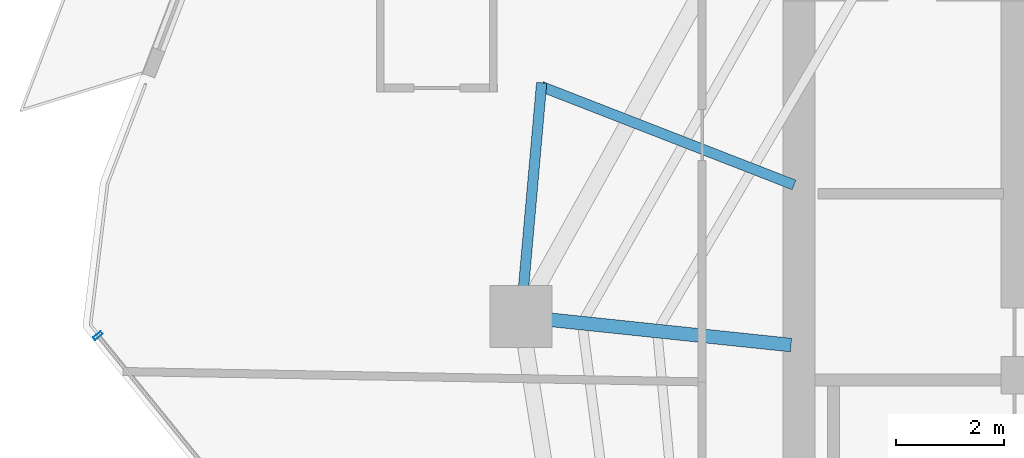
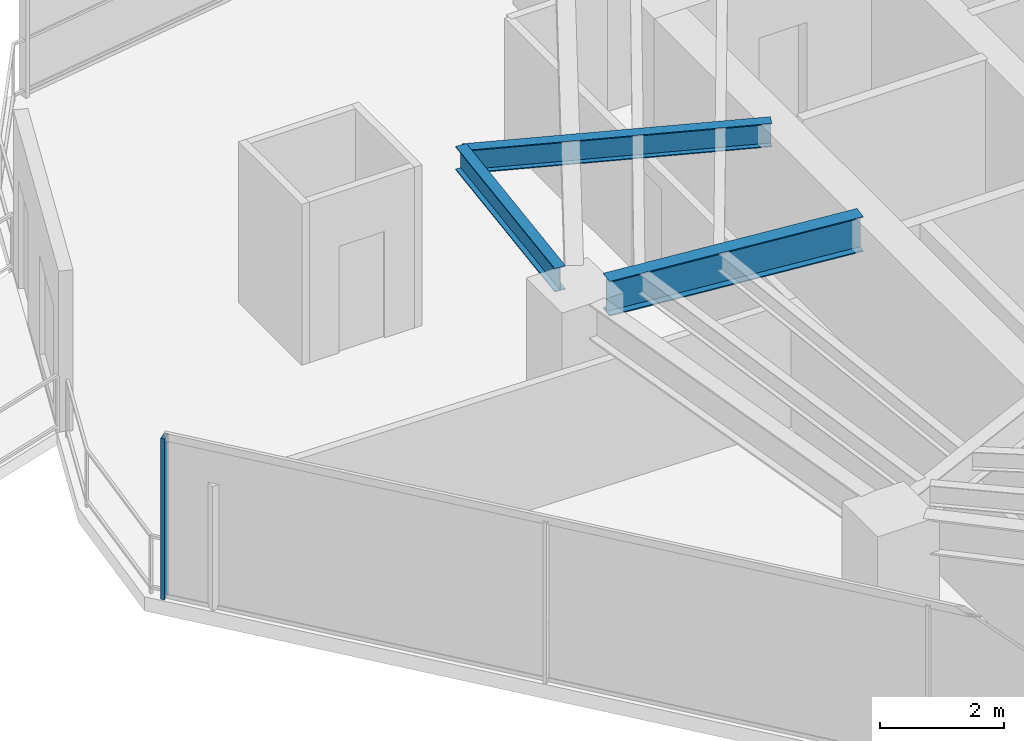
# One storey, part 9 of 27: 3 beams, 1 member, 1 element without a shape of its own.
"""IFC4 building model written with IfcOpenShell, lengths in metres."""

from ifc_helpers import new_model, si_unit, direction, frame, origin, origin_2d, place, context, subcontext, project, spatial, hollow_rectangle, i_section, extrude, material, layer, layer_set, material_profile, profile_set, type_object, element, aggregate, save


model = new_model("IFC4")

# Units and contexts
model_context = context("Model", 3, precision=1e-05, world=origin(), true_north=direction((0.0, 1.0)))
body_context = subcontext(model_context, "Body", "Model", "MODEL_VIEW")
ifc_project = project(units=[si_unit("LENGTHUNIT", "METRE"), si_unit("AREAUNIT", "SQUARE_METRE"), si_unit("VOLUMEUNIT", "CUBIC_METRE"), si_unit("PLANEANGLEUNIT", "RADIAN"), si_unit("MASSUNIT", "GRAM", prefix="KILO")], contexts=[model_context])

# Site, building, storey
site_placement = place(None, origin())
site = spatial("IfcSite", under=ifc_project, at=site_placement, CompositionType="ELEMENT")
building_placement = place(site_placement, origin())
building = spatial("IfcBuilding", under=site, at=building_placement, Name="Qarnah Convention Tower", CompositionType="ELEMENT")
storey_placement = place(building_placement, frame((0.0, 0.0, 100.5)))
storey = spatial("IfcBuildingStorey", under=building, at=storey_placement, Name="L26", CompositionType="ELEMENT", Elevation=100.5)

# Beams
ifc_material_1 = material(Name="Structural steel S355JR", Category="steel")
ifc_material_profile_1 = material_profile(ifc_material_1, i_section(OverallWidth=0.19189453125, OverallDepth=0.464111328125, WebThickness=0.010986328125, FlangeThickness=0.01806640625, at=origin_2d()), Name="W460X89")
ifc_profile_set_1 = profile_set([ifc_material_profile_1], Name="Structural steel S355JR")
beam_type_1 = type_object("IfcBeamType", Name="BM-CANT-W460A", PredefinedType="BEAM", material=ifc_profile_set_1)
beam_1_placement = place(storey_placement, frame((26.70703125, 30.48291015625, 2.93798828125), z_axis=(-0.93184170275, 0.362865045183, 0.0), x_axis=(-0.362865045183, -0.93184170275, 0.0)))
element("IfcBeam", 1, at=beam_1_placement, inside=storey, type_object=beam_type_1, Name="L26 beam BM-L26-CNT-02-1", PredefinedType="BEAM", context=body_context, shape_type="SweptSolid", body=[
    extrude(i_section(OverallWidth=0.19189453125, OverallDepth=0.464111328125, WebThickness=0.010986328125, FlangeThickness=0.01806640625, at=origin_2d()), origin(), (0.0, 0.0, 1.0), 5.035400390625),
])
beam_2_placement = place(storey_placement, frame((22.02099609375, 32.3798828125, 2.93798828125), z_axis=(-0.088250477094, -0.996098315074, 0.0), x_axis=(0.996098315074, -0.088250477094, 0.0)))
element("IfcBeam", 2, at=beam_2_placement, inside=storey, type_object=beam_type_1, Name="L26 spandrel BM-L26-CTIE-02", PredefinedType="SPANDREL", context=body_context, shape_type="SweptSolid", body=[
    extrude(i_section(OverallWidth=0.19189453125, OverallDepth=0.464111328125, WebThickness=0.010986328125, FlangeThickness=0.01806640625, at=origin_2d()), origin(), (0.0, 0.0, 1.0), 3.795654296875),
])
ifc_material_profile_2 = material_profile(ifc_material_1, i_section(OverallWidth=0.25390625, OverallDepth=0.68798828125, WebThickness=0.012939453125, FlangeThickness=0.02099609375, at=origin_2d()), Name="W690X152")
ifc_profile_set_2 = profile_set([ifc_material_profile_2], Name="Structural steel S355JR")
beam_type_2 = type_object("IfcBeamType", Name="BM-RAD-W690", PredefinedType="BEAM", material=ifc_profile_set_2)
beam_3_placement = place(storey_placement, frame((26.65087890625, 27.509033203125, 2.825927734375), z_axis=(-0.994523622606, 0.104512028393, 0.0), x_axis=(-0.104512028393, -0.994523622606, 0.0)))
element("IfcBeam", 3, at=beam_3_placement, inside=storey, type_object=beam_type_2, Name="L26 beam BM-L26-RAD-05", PredefinedType="BEAM", context=body_context, shape_type="SweptSolid", body=[
    extrude(i_section(OverallWidth=0.25390625, OverallDepth=0.68798828125, WebThickness=0.012939453125, FlangeThickness=0.02099609375, at=origin_2d()), origin(), (0.0, 0.0, 1.0), 4.487548828125),
])

# Curtain wall, member
ifc_material_2 = material(Name="Tempered Low-E dark glass", Category="glass")
ifc_layer = layer(ifc_material_2, 0.169921875)
ifc_layer_set = layer_set([ifc_layer], Name="Tempered Low-E dark glass")
curtain_wall_type = type_object("IfcCurtainWallType", Name="CWS-02", PredefinedType="NOTDEFINED", material=ifc_layer_set)
curtain_wall_placement = place(storey_placement, origin())
curtain_wall = element("IfcCurtainWall", 4, at=curtain_wall_placement, inside=storey, type_object=curtain_wall_type, Name="L26 unitised curtain wall CW-L26-F2", PredefinedType="NOTDEFINED")
ifc_material_3 = material(Name="Black anodised aluminium", Category="aluminium")
ifc_material_profile_3 = material_profile(ifc_material_3, hollow_rectangle(XDim=0.06494140625, YDim=0.179931640625, WallThickness=0.00390625, at=origin_2d()), Name="MUL-65X180")
ifc_profile_set_3 = profile_set([ifc_material_profile_3], Name="Black anodised aluminium")
member_type = type_object("IfcMemberType", Name="MUL-T2", PredefinedType="MULLION", material=ifc_profile_set_3)
member_placement = place(storey_placement, frame((13.780029296875, 27.68408203125, 0.0), z_axis=(0.0, 0.0, 1.0), x_axis=(-0.630942367883, 0.775829703227, 0.0)))
member = element("IfcMember", 5, at=member_placement, type_object=member_type, Name="CW-L26-F2 mullion 6", PredefinedType="MULLION", context=body_context, shape_type="SweptSolid", body=[
    extrude(hollow_rectangle(XDim=0.06494140625, YDim=0.179931640625, WallThickness=0.00390625, at=origin_2d()), origin(), (0.0, 0.0, 1.0), 3.169921875),
])
aggregate(curtain_wall, [member])

save(model, "model.ifc")
